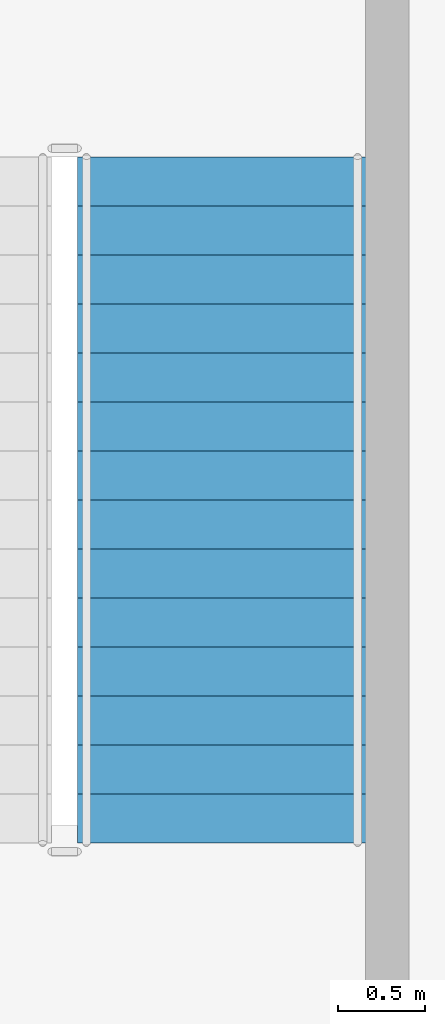
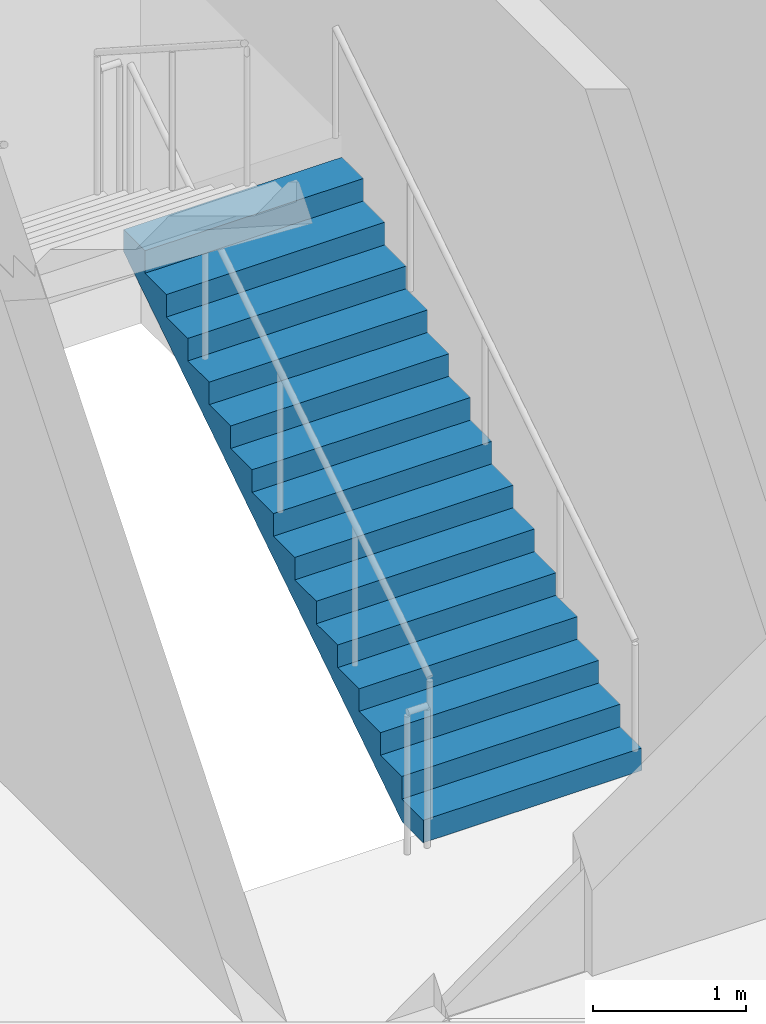
# One storey, part 25 of 35: 1 stair flight, 1 element without a shape of its own.
"""IFC4 building model written with IfcOpenShell, lengths in metres."""

from ifc_helpers import new_model, si_unit, direction, frame, origin, place, context, subcontext, project, spatial, polyline, outline, extrude, material, type_object, element, aggregate, save


model = new_model("IFC4")

# Units and contexts
model_context = context("Model", 3, precision=1e-05, world=origin(), true_north=direction((0.0, 1.0)))
body_context = subcontext(model_context, "Body", "Model", "MODEL_VIEW")
ifc_project = project(units=[si_unit("LENGTHUNIT", "METRE"), si_unit("AREAUNIT", "SQUARE_METRE"), si_unit("VOLUMEUNIT", "CUBIC_METRE"), si_unit("PLANEANGLEUNIT", "RADIAN"), si_unit("MASSUNIT", "GRAM", prefix="KILO")], contexts=[model_context])

# Site, building, storey
site_placement = place(None, origin())
site = spatial("IfcSite", under=ifc_project, at=site_placement, CompositionType="ELEMENT")
building_placement = place(site_placement, origin())
building = spatial("IfcBuilding", under=site, at=building_placement, Name="Trevonay Congress Spire", CompositionType="ELEMENT")
storey_placement = place(building_placement, frame((0.0, 0.0, 10.800048828125)))
storey = spatial("IfcBuildingStorey", under=building, at=storey_placement, Name="L02", CompositionType="ELEMENT", Elevation=10.800048828125)

# Stair, stair flight
ifc_material = material(Name="Concrete C40/50", Category="concrete")
stair_type = type_object("IfcStairType", Name="STR-ST-6", PredefinedType="HALF_TURN_STAIR", material=ifc_material)
stair_placement = place(storey_placement, origin())
stair = element("IfcStair", 1, at=stair_placement, inside=storey, type_object=stair_type, Name="L02 Protected Exit Stair ST-6", PredefinedType="HALF_TURN_STAIR")
stair_flight_type = type_object("IfcStairFlightType", Name="SFL-ST-6", PredefinedType="STRAIGHT", material=ifc_material)
stair_flight_placement = place(storey_placement, frame((27.97509765625, 16.85009765625, 0.0), z_axis=(0.0, 0.0, 1.0), x_axis=(0.0, 1.0, 0.0)))
stair_flight = element("IfcStairFlight", 2, at=stair_flight_placement, type_object=stair_flight_type, Name="ST-6 flight 1", NumberOfRisers=15, NumberOfTreads=14, PredefinedType="STRAIGHT", RiserHeight=0.18, TreadLength=0.28, context=body_context, shape_type="SweptSolid", body=[
    extrude(outline(polyline([(0.0, 0.0), (0.0, 0.179931640625), (0.280029296875, 0.179931640625), (0.280029296875, 0.360107421875), (0.56005859375, 0.360107421875), (0.56005859375, 0.5400390625), (0.840087890625, 0.5400390625), (0.840087890625, 0.719970703125), (1.1201171875, 0.719970703125), (1.1201171875, 0.89990234375), (1.39990234375, 0.89990234375), (1.39990234375, 1.080078125), (1.679931640625, 1.080078125), (1.679931640625, 1.260009765625), (1.9599609375, 1.260009765625), (1.9599609375, 1.43994140625), (2.239990234375, 1.43994140625), (2.239990234375, 1.6201171875), (2.52001953125, 1.6201171875), (2.52001953125, 1.800048828125), (2.800048828125, 1.800048828125), (2.800048828125, 1.97998046875), (3.080078125, 1.97998046875), (3.080078125, 2.159912109375), (3.360107421875, 2.159912109375), (3.360107421875, 2.340087890625), (3.639892578125, 2.340087890625), (3.639892578125, 2.52001953125), (3.919921875, 2.52001953125), (3.919921875, 2.699951171875), (3.919921875, 2.341796875), (0.277099609375, 0.0), (0.0, 0.0)])), frame((0.0, 0.824951171875, 0.0), z_axis=(0.0, -1.0, 0.0), x_axis=(1.0, 0.0, 0.0)), (0.0, 0.0, 1.0), 1.64990234375),
])
aggregate(stair, [stair_flight])

save(model, "model.ifc")
